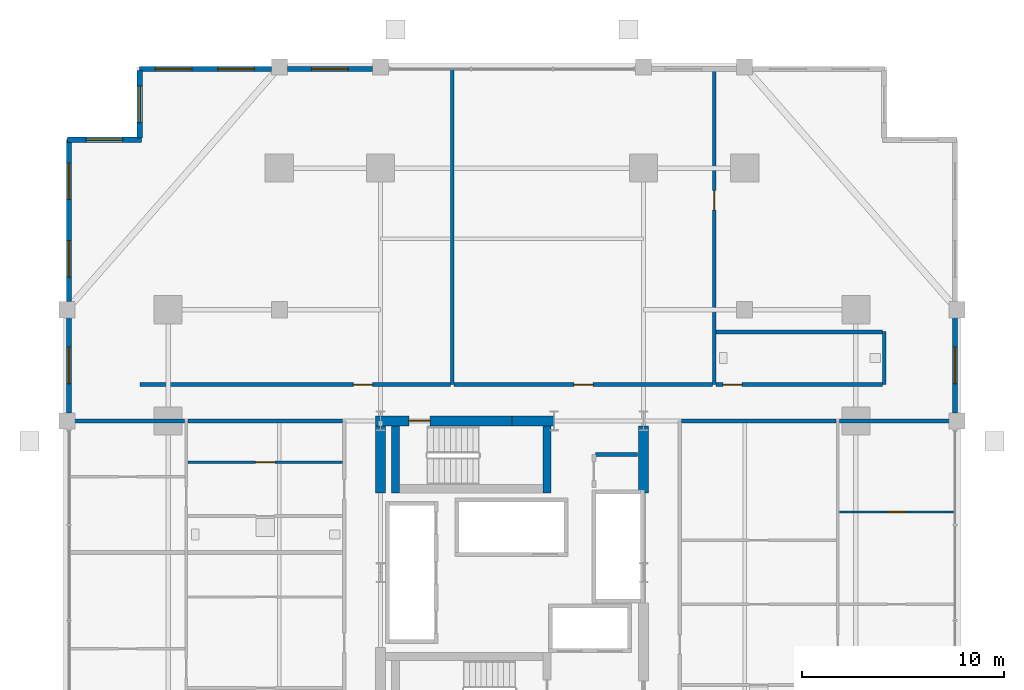
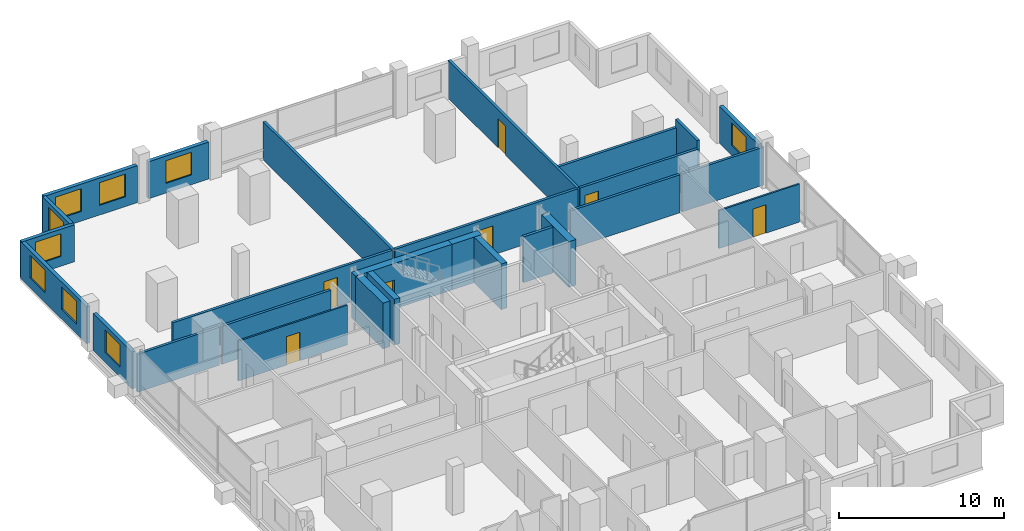
# One storey, part 20 of 23: 27 walls, 9 windows, 7 doors, 16 openings.
"""IFC4 building model written with IfcOpenShell, lengths in metres."""

from ifc_helpers import new_model, si_unit, direction, frame, frame_2d, origin, place, context, subcontext, project, spatial, rectangle, extrude, material, layer, layer_set, type_object, element, fill, save


model = new_model("IFC4")

# Units and contexts
model_context = context("Model", 3, precision=1e-05, world=origin(), true_north=direction((0.0, 1.0)))
body_context = subcontext(model_context, "Body", "Model", "MODEL_VIEW")
ifc_project = project(units=[si_unit("LENGTHUNIT", "METRE"), si_unit("AREAUNIT", "SQUARE_METRE"), si_unit("VOLUMEUNIT", "CUBIC_METRE"), si_unit("PLANEANGLEUNIT", "RADIAN"), si_unit("MASSUNIT", "GRAM", prefix="KILO")], contexts=[model_context])

# Site, building, storey
site_placement = place(None, origin())
site = spatial("IfcSite", under=ifc_project, at=site_placement, CompositionType="ELEMENT")
building_placement = place(site_placement, origin())
building = spatial("IfcBuilding", under=site, at=building_placement, Name="Barlavira Tower and Art Museum", CompositionType="ELEMENT")
storey_placement = place(building_placement, frame((0.0, 0.0, 54.0)))
storey = spatial("IfcBuildingStorey", under=building, at=storey_placement, Name="L12", CompositionType="ELEMENT", Elevation=54.0)

# Wall, opening, door
ifc_material_1 = material(Name="Gypsum acoustic stud partition", Category="gypsum")
ifc_layer_1 = layer(ifc_material_1, 0.1201171875, Name="Gypsum acoustic stud partition")
ifc_layer_set_1 = layer_set([ifc_layer_1], Name="Gypsum acoustic stud partition")
wall_type_1 = type_object("IfcWallType", Name="Apartment Internal Acoustic Partition 120", PredefinedType="PARTITIONING", material=ifc_layer_set_1)
wall_1_placement = place(storey_placement, frame((16.179931640625, 3.0, 0.0), z_axis=(0.0, 0.0, 1.0), x_axis=(1.0, 0.0, 0.0)))
wall_1 = element("IfcWall", 1, at=wall_1_placement, inside=storey, type_object=wall_type_1, Name="L12 Partition Wall 54", PredefinedType="PARTITIONING", context=body_context, shape_type="SweptSolid", body=[
    extrude(rectangle(XDim=5.64013671875, YDim=0.1201171875, at=frame_2d((2.820068359375, 0.0))), origin(), (0.0, 0.0, 1.0), 2.81591796875),
])
opening_1_placement = place(wall_1_placement, frame((2.3701171875, 0.0, 0.0)))
opening_1 = element("IfcOpeningElement", 2, at=opening_1_placement, cuts=wall_1, Name="Opening D-01", PredefinedType="OPENING", context=body_context, shape_type="SweptSolid", body=[
    extrude(rectangle(XDim=0.89990234375, YDim=2.10009765625, at=frame_2d((0.449951171875, 1.050048828125))), frame((0.0, 0.070068359375, 0.0), z_axis=(0.0, -1.0, 0.0), x_axis=(1.0, 0.0, 0.0)), (0.0, 0.0, 1.0), 0.14013671875),
])
ifc_material_2 = material(Name="Engineered coastal hardwood", Category="wood")
door_type_1 = type_object("IfcDoorType", Name="Internal Bedroom Timber Flush Door 900x2100", OperationType="NOTDEFINED", PredefinedType="DOOR", material=ifc_material_2)
door_1_placement = place(opening_1_placement, origin())
door_1 = element("IfcDoor", 3, at=door_1_placement, inside=storey, type_object=door_type_1, Name="Apartment E1 Bedroom 2 Door", OperationType="SINGLE_SWING_RIGHT", OverallHeight=2.10009765625, OverallWidth=0.89990234375, PredefinedType="DOOR", context=body_context, shape_type="SweptSolid", body=[
    extrude(rectangle(XDim=0.89990234375, YDim=2.10009765625, at=frame_2d((0.449951171875, 1.050048828125))), frame((0.0, 0.02490234375, 0.0), z_axis=(0.0, -1.0, 0.0), x_axis=(1.0, 0.0, 0.0)), (0.0, 0.0, 1.0), 0.050048828125),
])
fill(opening_1, door_1)

wall_2_placement = place(storey_placement, frame((-16.02001953125, 5.449951171875, 0.0), z_axis=(0.0, 0.0, 1.0), x_axis=(1.0, 0.0, 0.0)))
wall_2 = element("IfcWall", 4, at=wall_2_placement, inside=storey, type_object=wall_type_1, Name="L12 Partition Wall 56", PredefinedType="PARTITIONING", context=body_context, shape_type="SweptSolid", body=[
    extrude(rectangle(XDim=7.64013671875, YDim=0.1201171875, at=frame_2d((3.820068359375, 0.0))), origin(), (0.0, 0.0, 1.0), 2.947998046875),
])
opening_2_placement = place(wall_2_placement, frame((3.344970703125, 0.0, 0.0)))
opening_2 = element("IfcOpeningElement", 5, at=opening_2_placement, cuts=wall_2, Name="Opening D-02", PredefinedType="OPENING", context=body_context, shape_type="SweptSolid", body=[
    extrude(rectangle(XDim=0.949951171875, YDim=2.10009765625, at=frame_2d((0.47509765625, 1.050048828125))), frame((0.0, 0.070068359375, 0.0), z_axis=(0.0, -1.0, 0.0), x_axis=(1.0, 0.0, 0.0)), (0.0, 0.0, 1.0), 0.14013671875),
])
door_type_2 = type_object("IfcDoorType", Name="Living and Salon Glazed-Leaf Door 950x2100", OperationType="NOTDEFINED", PredefinedType="DOOR", material=ifc_material_2)
door_2_placement = place(opening_2_placement, origin())
door_2 = element("IfcDoor", 6, at=door_2_placement, inside=storey, type_object=door_type_2, Name="Apartment W2 Kitchen Door", OperationType="SINGLE_SWING_LEFT", OverallHeight=2.10009765625, OverallWidth=0.949951171875, PredefinedType="DOOR", context=body_context, shape_type="SweptSolid", body=[
    extrude(rectangle(XDim=0.949951171875, YDim=2.10009765625, at=frame_2d((0.47509765625, 1.050048828125))), frame((0.0, 0.02490234375, 0.0), z_axis=(0.0, -1.0, 0.0), x_axis=(1.0, 0.0, 0.0)), (0.0, 0.0, 1.0), 0.050048828125),
])
fill(opening_2, door_2)

ifc_material_3 = material(Name="Concrete C60", Category="concrete")
ifc_layer_2 = layer(ifc_material_3, 0.5, Name="Concrete C60")
ifc_layer_set_2 = layer_set([ifc_layer_2], Name="Concrete C60")
wall_type_2 = type_object("IfcWallType", Name="Core Structural Shear Wall 500 Concrete C60", PredefinedType="SHEAR", material=ifc_layer_set_2)
wall_3_placement = place(storey_placement, frame((-6.75, 7.5, 0.0), z_axis=(0.0, 0.0, 1.0), x_axis=(1.0, 0.0, 0.0)))
wall_3 = element("IfcWall", 7, at=wall_3_placement, inside=storey, type_object=wall_type_2, Name="L12 Core Shear Wall CS-NW", PredefinedType="SHEAR", context=body_context, shape_type="SweptSolid", body=[
    extrude(rectangle(XDim=6.75, YDim=0.5, at=frame_2d((3.375, 0.0))), origin(), (0.0, 0.0, 1.0), 3.3798828125),
])
opening_3_placement = place(wall_3_placement, frame((1.64990234375, 0.0, 0.0)))
opening_3 = element("IfcOpeningElement", 8, at=opening_3_placement, cuts=wall_3, Name="Opening FD-90", PredefinedType="OPENING", context=body_context, shape_type="SweptSolid", body=[
    extrude(rectangle(XDim=1.050048828125, YDim=2.14990234375, at=frame_2d((0.52490234375, 1.074951171875))), frame((0.0, 0.260009765625, 0.0), z_axis=(0.0, -1.0, 0.0), x_axis=(1.0, 0.0, 0.0)), (0.0, 0.0, 1.0), 0.52001953125),
])
ifc_material_4 = material(Name="Brushed stainless steel", Category="steel")
door_type_3 = type_object("IfcDoorType", Name="Stair and Refuge Fire Door 1050x2150 FD90S", OperationType="NOTDEFINED", PredefinedType="DOOR", material=ifc_material_4)
door_3_placement = place(opening_3_placement, origin())
door_3 = element("IfcDoor", 9, at=door_3_placement, inside=storey, type_object=door_type_3, Name="L12 Stair ST-T2 Fire Door", OperationType="SINGLE_SWING_LEFT", OverallHeight=2.14990234375, OverallWidth=1.050048828125, PredefinedType="DOOR", context=body_context, shape_type="SweptSolid", body=[
    extrude(rectangle(XDim=1.050048828125, YDim=2.14990234375, at=frame_2d((0.52490234375, 1.074951171875))), frame((0.0, 0.02490234375, 0.0), z_axis=(0.0, -1.0, 0.0), x_axis=(1.0, 0.0, 0.0)), (0.0, 0.0, 1.0), 0.050048828125),
])
fill(opening_3, door_3)

# Walls
wall_4_placement = place(storey_placement, frame((0.0, 7.5, 0.0), z_axis=(0.0, 0.0, 1.0), x_axis=(1.0, 0.0, 0.0)))
element("IfcWall", 10, at=wall_4_placement, inside=storey, type_object=wall_type_2, Name="L12 Core Shear Wall CS-EN", PredefinedType="SHEAR", context=body_context, shape_type="SweptSolid", body=[
    extrude(rectangle(XDim=2.080078125, YDim=0.5, at=frame_2d((1.0400390625, 0.0))), origin(), (0.0, 0.0, 1.0), 3.3798828125),
])
for number, where, z_axis, x_axis, name in (
    (11, (-6.5, 3.949951171875, 0.0), (0.0, 0.0, 1.0), (0.0, 1.0, 0.0), "L12 Core Shear Wall CS-W2"),
    (12, (6.5, 3.949951171875, 0.0), (0.0, 0.0, 1.0), (0.0, 1.0, 0.0), "L12 Core Shear Wall CS-E2"),
):
    element("IfcWall", number, at=place(storey_placement, frame(where, z_axis=z_axis, x_axis=x_axis)), inside=storey, type_object=wall_type_2, Name=name, PredefinedType="SHEAR", context=body_context, shape_type="SweptSolid", body=[
        extrude(rectangle(XDim=3.300048828125, YDim=0.5, at=frame_2d((1.64990234375, 0.0))), origin(), (0.0, 0.0, 1.0), 3.3798828125),
    ])
ifc_material_5 = material(Name="Autoclaved aerated concrete masonry", Category="masonry")
ifc_layer_3 = layer(ifc_material_5, 0.199951171875, Name="Autoclaved aerated concrete masonry")
ifc_layer_set_3 = layer_set([ifc_layer_3], Name="Autoclaved aerated concrete masonry")
wall_type_3 = type_object("IfcWallType", Name="Fire Compartment and Shaft Wall 200", PredefinedType="SOLIDWALL", material=ifc_layer_set_3)
wall_5_placement = place(storey_placement, frame((4.1298828125, 5.85009765625, 0.0), z_axis=(0.0, 0.0, 1.0), x_axis=(1.0, 0.0, 0.0)))
element("IfcWall", 13, at=wall_5_placement, inside=storey, type_object=wall_type_3, Name="L12 Partition Wall 57", PredefinedType="SOLIDWALL", context=body_context, shape_type="SweptSolid", body=[
    extrude(rectangle(XDim=2.070068359375, YDim=0.199951171875, at=frame_2d((1.03515625, 0.0))), origin(), (0.0, 0.0, 1.0), 3.3798828125),
])
ifc_layer_4 = layer(ifc_material_1, 0.179931640625, Name="Gypsum acoustic stud partition")
ifc_layer_set_4 = layer_set([ifc_layer_4], Name="Gypsum acoustic stud partition")
wall_type_4 = type_object("IfcWallType", Name="Inter-Tenancy Party Partition Wall 180", PredefinedType="PARTITIONING", material=ifc_layer_set_4)
wall_6_placement = place(storey_placement, frame((-2.949951171875, 9.300048828125, 0.0), z_axis=(0.0, 0.0, 1.0), x_axis=(0.0, 1.0, 0.0)))
element("IfcWall", 14, at=wall_6_placement, inside=storey, type_object=wall_type_4, Name="L12 Partition Wall 8", PredefinedType="PARTITIONING", context=body_context, shape_type="SweptSolid", body=[
    extrude(rectangle(XDim=15.599853515625, YDim=0.179931640625, at=frame_2d((7.7998046875, 0.0))), origin(), (0.0, 0.0, 1.0), 2.81591796875),
])

# Wall, opening, door
wall_7_placement = place(storey_placement, frame((10.0, 9.300048828125, 0.0), z_axis=(0.0, 0.0, 1.0), x_axis=(0.0, 1.0, 0.0)))
wall_7 = element("IfcWall", 15, at=wall_7_placement, inside=storey, type_object=wall_type_4, Name="L12 Partition Wall 15", PredefinedType="PARTITIONING", context=body_context, shape_type="SweptSolid", body=[
    extrude(rectangle(XDim=15.599853515625, YDim=0.179931640625, at=frame_2d((7.7998046875, 0.0))), origin(), (0.0, 0.0, 1.0), 2.81591796875),
])
opening_4_placement = place(wall_7_placement, frame((8.635009765625, 0.0, 0.0)))
opening_4 = element("IfcOpeningElement", 16, at=opening_4_placement, cuts=wall_7, Name="Opening FD-60", PredefinedType="OPENING", context=body_context, shape_type="SweptSolid", body=[
    extrude(rectangle(XDim=0.949951171875, YDim=2.14990234375, at=frame_2d((0.47509765625, 1.074951171875))), frame((0.0, 0.10009765625, 0.0), z_axis=(0.0, -1.0, 0.0), x_axis=(1.0, 0.0, 0.0)), (0.0, 0.0, 1.0), 0.199951171875),
])
door_type_4 = type_object("IfcDoorType", Name="Apartment Entrance and Riser Fire Door 950x2150 FD60S", OperationType="NOTDEFINED", PredefinedType="DOOR", material=ifc_material_4)
door_4_placement = place(opening_4_placement, origin())
door_4 = element("IfcDoor", 17, at=door_4_placement, inside=storey, type_object=door_type_4, Name="Thermal Relaxation Lounge Door", OperationType="SINGLE_SWING_LEFT", OverallHeight=2.14990234375, OverallWidth=0.949951171875, PredefinedType="DOOR", context=body_context, shape_type="SweptSolid", body=[
    extrude(rectangle(XDim=0.949951171875, YDim=2.14990234375, at=frame_2d((0.47509765625, 1.074951171875))), frame((0.0, 0.02490234375, 0.0), z_axis=(0.0, -1.0, 0.0), x_axis=(1.0, 0.0, 0.0)), (0.0, 0.0, 1.0), 0.050048828125),
])
fill(opening_4, door_4)

# Walls
wall_8_placement = place(storey_placement, frame((18.39990234375, 9.300048828125, 0.0), z_axis=(0.0, 0.0, 1.0), x_axis=(0.0, 1.0, 0.0)))
element("IfcWall", 18, at=wall_8_placement, inside=storey, type_object=wall_type_4, Name="L12 Partition Wall 20", PredefinedType="PARTITIONING", context=body_context, shape_type="SweptSolid", body=[
    extrude(rectangle(XDim=2.619873046875, YDim=0.179931640625, at=frame_2d((1.31005859375, 0.0))), origin(), (0.0, 0.0, 1.0), 3.3798828125),
])
wall_9_placement = place(storey_placement, frame((-21.89990234375, 7.5, 0.0), z_axis=(0.0, 0.0, 1.0), x_axis=(1.0, 0.0, 0.0)))
element("IfcWall", 19, at=wall_9_placement, inside=storey, type_object=wall_type_4, Name="L12 Partition Wall 58", PredefinedType="PARTITIONING", context=body_context, shape_type="SweptSolid", body=[
    extrude(rectangle(XDim=5.719970703125, YDim=0.179931640625, at=frame_2d((2.85986328125, 0.0))), origin(), (0.0, 0.0, 1.0), 2.81591796875),
])
for number, where, z_axis, x_axis, name in (
    (20, (-16.02001953125, 7.5, 0.0), (0.0, 0.0, 1.0), (1.0, 0.0, 0.0), "L12 Partition Wall 59"),
    (21, (8.3798828125, 7.5, 0.0), (0.0, 0.0, 1.0), (1.0, 0.0, 0.0), "L12 Partition Wall 60"),
):
    element("IfcWall", number, at=place(storey_placement, frame(where, z_axis=z_axis, x_axis=x_axis)), inside=storey, type_object=wall_type_4, Name=name, PredefinedType="PARTITIONING", context=body_context, shape_type="SweptSolid", body=[
        extrude(rectangle(XDim=7.64013671875, YDim=0.179931640625, at=frame_2d((3.820068359375, 0.0))), origin(), (0.0, 0.0, 1.0), 2.81591796875),
    ])
wall_10_placement = place(storey_placement, frame((16.179931640625, 7.5, 0.0), z_axis=(0.0, 0.0, 1.0), x_axis=(1.0, 0.0, 0.0)))
element("IfcWall", 22, at=wall_10_placement, inside=storey, type_object=wall_type_4, Name="L12 Partition Wall 61", PredefinedType="PARTITIONING", context=body_context, shape_type="SweptSolid", body=[
    extrude(rectangle(XDim=5.719970703125, YDim=0.179931640625, at=frame_2d((2.85986328125, 0.0))), origin(), (0.0, 0.0, 1.0), 2.81591796875),
])

# Wall, opening, door
wall_11_placement = place(storey_placement, frame((-18.39990234375, 9.300048828125, 0.0), z_axis=(0.0, 0.0, 1.0), x_axis=(1.0, 0.0, 0.0)))
wall_11 = element("IfcWall", 23, at=wall_11_placement, inside=storey, type_object=wall_type_4, Name="L12 Partition Wall 62", PredefinedType="PARTITIONING", context=body_context, shape_type="SweptSolid", body=[
    extrude(rectangle(XDim=15.369873046875, YDim=0.179931640625, at=frame_2d((7.68505859375, 0.0))), origin(), (0.0, 0.0, 1.0), 2.81591796875),
])
opening_5_placement = place(wall_11_placement, frame((10.554931640625, 0.0, 0.0)))
opening_5 = element("IfcOpeningElement", 24, at=opening_5_placement, cuts=wall_11, Name="Opening FD-60", PredefinedType="OPENING", context=body_context, shape_type="SweptSolid", body=[
    extrude(rectangle(XDim=0.949951171875, YDim=2.14990234375, at=frame_2d((0.47509765625, 1.074951171875))), frame((0.0, 0.10009765625, 0.0), z_axis=(0.0, -1.0, 0.0), x_axis=(1.0, 0.0, 0.0)), (0.0, 0.0, 1.0), 0.199951171875),
])
door_5_placement = place(opening_5_placement, origin())
door_5 = element("IfcDoor", 25, at=door_5_placement, inside=storey, type_object=door_type_4, Name="Resident Ocean-View Fitness Studio Door", OperationType="SINGLE_SWING_RIGHT", OverallHeight=2.14990234375, OverallWidth=0.949951171875, PredefinedType="DOOR", context=body_context, shape_type="SweptSolid", body=[
    extrude(rectangle(XDim=0.949951171875, YDim=2.14990234375, at=frame_2d((0.47509765625, 1.074951171875))), frame((0.0, 0.02490234375, 0.0), z_axis=(0.0, -1.0, 0.0), x_axis=(1.0, 0.0, 0.0)), (0.0, 0.0, 1.0), 0.050048828125),
])
fill(opening_5, door_5)

wall_12_placement = place(storey_placement, frame((-2.8701171875, 9.300048828125, 0.0), z_axis=(0.0, 0.0, 1.0), x_axis=(1.0, 0.0, 0.0)))
wall_12 = element("IfcWall", 26, at=wall_12_placement, inside=storey, type_object=wall_type_4, Name="L12 Partition Wall 63", PredefinedType="PARTITIONING", context=body_context, shape_type="SweptSolid", body=[
    extrude(rectangle(XDim=12.7900390625, YDim=0.179931640625, at=frame_2d((6.39501953125, 0.0))), origin(), (0.0, 0.0, 1.0), 2.81591796875),
])
opening_6_placement = place(wall_12_placement, frame((5.925048828125, 0.0, 0.0)))
opening_6 = element("IfcOpeningElement", 27, at=opening_6_placement, cuts=wall_12, Name="Opening FD-60", PredefinedType="OPENING", context=body_context, shape_type="SweptSolid", body=[
    extrude(rectangle(XDim=0.949951171875, YDim=2.14990234375, at=frame_2d((0.47509765625, 1.074951171875))), frame((0.0, 0.10009765625, 0.0), z_axis=(0.0, -1.0, 0.0), x_axis=(1.0, 0.0, 0.0)), (0.0, 0.0, 1.0), 0.199951171875),
])
door_6_placement = place(opening_6_placement, origin())
door_6 = element("IfcDoor", 28, at=door_6_placement, inside=storey, type_object=door_type_4, Name="Coastal Hydrotherapy and Yoga Lounge Door", OperationType="SINGLE_SWING_LEFT", OverallHeight=2.14990234375, OverallWidth=0.949951171875, PredefinedType="DOOR", context=body_context, shape_type="SweptSolid", body=[
    extrude(rectangle(XDim=0.949951171875, YDim=2.14990234375, at=frame_2d((0.47509765625, 1.074951171875))), frame((0.0, 0.02490234375, 0.0), z_axis=(0.0, -1.0, 0.0), x_axis=(1.0, 0.0, 0.0)), (0.0, 0.0, 1.0), 0.050048828125),
])
fill(opening_6, door_6)

wall_13_placement = place(storey_placement, frame((10.080078125, 9.300048828125, 0.0), z_axis=(0.0, 0.0, 1.0), x_axis=(1.0, 0.0, 0.0)))
wall_13 = element("IfcWall", 29, at=wall_13_placement, inside=storey, type_object=wall_type_4, Name="L12 Partition Wall 64", PredefinedType="PARTITIONING", context=body_context, shape_type="SweptSolid", body=[
    extrude(rectangle(XDim=8.239990234375, YDim=0.179931640625, at=frame_2d((4.1201171875, 0.0))), origin(), (0.0, 0.0, 1.0), 2.81591796875),
])
opening_7_placement = place(wall_13_placement, frame((0.344970703125, 0.0, 0.0)))
opening_7 = element("IfcOpeningElement", 30, at=opening_7_placement, cuts=wall_13, Name="Opening FD-60", PredefinedType="OPENING", context=body_context, shape_type="SweptSolid", body=[
    extrude(rectangle(XDim=0.949951171875, YDim=2.14990234375, at=frame_2d((0.47509765625, 1.074951171875))), frame((0.0, 0.10009765625, 0.0), z_axis=(0.0, -1.0, 0.0), x_axis=(1.0, 0.0, 0.0)), (0.0, 0.0, 1.0), 0.199951171875),
])
door_7_placement = place(opening_7_placement, origin())
door_7 = element("IfcDoor", 31, at=door_7_placement, inside=storey, type_object=door_type_4, Name="Wellness Changing and Accessible Shower WC Door", OperationType="SINGLE_SWING_RIGHT", OverallHeight=2.14990234375, OverallWidth=0.949951171875, PredefinedType="DOOR", context=body_context, shape_type="SweptSolid", body=[
    extrude(rectangle(XDim=0.949951171875, YDim=2.14990234375, at=frame_2d((0.47509765625, 1.074951171875))), frame((0.0, 0.02490234375, 0.0), z_axis=(0.0, -1.0, 0.0), x_axis=(1.0, 0.0, 0.0)), (0.0, 0.0, 1.0), 0.050048828125),
])
fill(opening_7, door_7)

# Wall
wall_14_placement = place(storey_placement, frame((10.080078125, 11.89990234375, 0.0), z_axis=(0.0, 0.0, 1.0), x_axis=(1.0, 0.0, 0.0)))
element("IfcWall", 32, at=wall_14_placement, inside=storey, type_object=wall_type_4, Name="L12 Partition Wall 65", PredefinedType="PARTITIONING", context=body_context, shape_type="SweptSolid", body=[
    extrude(rectangle(XDim=8.239990234375, YDim=0.179931640625, at=frame_2d((4.1201171875, 0.0))), origin(), (0.0, 0.0, 1.0), 2.81591796875),
])

# Wall, opening, window
ifc_material_6 = material(Name="Precast concrete C40", Category="concrete")
ifc_layer_5 = layer(ifc_material_6, 0.25, Name="Precast concrete C40")
ifc_layer_set_5 = layer_set([ifc_layer_5], Name="Precast concrete C40")
wall_type_5 = type_object("IfcWallType", Name="Notched Corner Spandrel Wall 250 Precast Concrete C40", PredefinedType="SOLIDWALL", material=ifc_layer_set_5)
wall_15_placement = place(storey_placement, frame((-6.89501953125, 24.89990234375, 0.0), z_axis=(0.0, 0.0, 1.0), x_axis=(-1.0, 0.0, 0.0)))
wall_15 = element("IfcWall", 33, at=wall_15_placement, inside=storey, type_object=wall_type_5, Name="L12 Coastal Facade Pier Wall CW1-L12-N-4", PredefinedType="SOLIDWALL", context=body_context, shape_type="SweptSolid", body=[
    extrude(rectangle(XDim=4.2099609375, YDim=0.25, at=frame_2d((2.10498046875, 0.0))), origin(), (0.0, 0.0, 1.0), 2.736083984375),
])
opening_8_placement = place(wall_15_placement, frame((1.205078125, 0.0, 0.719970703125)))
opening_8 = element("IfcOpeningElement", 34, at=opening_8_placement, cuts=wall_15, Name="Opening WN-01", PredefinedType="OPENING", context=body_context, shape_type="SweptSolid", body=[
    extrude(rectangle(XDim=1.800048828125, YDim=1.679931640625, at=frame_2d((0.89990234375, 0.83984375))), frame((0.0, 0.135009765625, 0.0), z_axis=(0.0, -1.0, 0.0), x_axis=(1.0, 0.0, 0.0)), (0.0, 0.0, 1.0), 0.27001953125),
])
ifc_material_7 = material(Name="Low-iron coastal laminated glass", Category="glass")
window_type = type_object("IfcWindowType", Name="Recessed Notch Corner Punch Window 1800x1680", PartitioningType="SINGLE_PANEL", PredefinedType="WINDOW", material=ifc_material_7)
window_1_placement = place(opening_8_placement, origin())
window_1 = element("IfcWindow", 35, at=window_1_placement, inside=storey, type_object=window_type, Name="L12 Punched Facade Window EWP-CW1-L12-N-4-1", OverallHeight=1.679931640625, OverallWidth=1.800048828125, PartitioningType="SINGLE_PANEL", PredefinedType="WINDOW", context=body_context, shape_type="SweptSolid", body=[
    extrude(rectangle(XDim=1.800048828125, YDim=1.679931640625, at=frame_2d((0.89990234375, 0.83984375))), frame((0.0, 0.030029296875, 0.0), z_axis=(0.0, -1.0, 0.0), x_axis=(1.0, 0.0, 0.0)), (0.0, 0.0, 1.0), 0.06005859375),
])
fill(opening_8, window_1)

# Wall, openings, windows
wall_16_placement = place(storey_placement, frame((-11.89501953125, 24.89990234375, 0.0), z_axis=(0.0, 0.0, 1.0), x_axis=(-1.0, 0.0, 0.0)))
wall_16 = element("IfcWall", 36, at=wall_16_placement, inside=storey, type_object=wall_type_5, Name="L12 Coastal Facade Pier Wall CW1-L12-N-5", PredefinedType="SOLIDWALL", context=body_context, shape_type="SweptSolid", body=[
    extrude(rectangle(XDim=6.530029296875, YDim=0.25, at=frame_2d((3.26513671875, 0.0))), origin(), (0.0, 0.0, 1.0), 2.736083984375),
])
opening_9_placement = place(wall_16_placement, frame((0.845947265625, 0.0, 0.719970703125)))
opening_9 = element("IfcOpeningElement", 37, at=opening_9_placement, cuts=wall_16, Name="Opening WN-01", PredefinedType="OPENING", context=body_context, shape_type="SweptSolid", body=[
    extrude(rectangle(XDim=1.800048828125, YDim=1.679931640625, at=frame_2d((0.89990234375, 0.83984375))), frame((0.0, 0.135009765625, 0.0), z_axis=(0.0, -1.0, 0.0), x_axis=(1.0, 0.0, 0.0)), (0.0, 0.0, 1.0), 0.27001953125),
])
opening_10_placement = place(wall_16_placement, frame((3.928955078125, 0.0, 0.719970703125)))
opening_10 = element("IfcOpeningElement", 38, at=opening_10_placement, cuts=wall_16, Name="Opening WN-01", PredefinedType="OPENING", context=body_context, shape_type="SweptSolid", body=[
    extrude(rectangle(XDim=1.800048828125, YDim=1.679931640625, at=frame_2d((0.89990234375, 0.83984375))), frame((0.0, 0.135009765625, 0.0), z_axis=(0.0, -1.0, 0.0), x_axis=(1.0, 0.0, 0.0)), (0.0, 0.0, 1.0), 0.27001953125),
])
window_2_placement = place(opening_9_placement, origin())
window_2 = element("IfcWindow", 39, at=window_2_placement, inside=storey, type_object=window_type, Name="L12 Punched Facade Window EWP-CW1-L12-N-5-1", OverallHeight=1.679931640625, OverallWidth=1.800048828125, PartitioningType="SINGLE_PANEL", PredefinedType="WINDOW", context=body_context, shape_type="SweptSolid", body=[
    extrude(rectangle(XDim=1.800048828125, YDim=1.679931640625, at=frame_2d((0.89990234375, 0.83984375))), frame((0.0, 0.030029296875, 0.0), z_axis=(0.0, -1.0, 0.0), x_axis=(1.0, 0.0, 0.0)), (0.0, 0.0, 1.0), 0.06005859375),
])
fill(opening_9, window_2)
window_3_placement = place(opening_10_placement, origin())
window_3 = element("IfcWindow", 40, at=window_3_placement, inside=storey, type_object=window_type, Name="L12 Punched Facade Window EWP-CW1-L12-N-5-2", OverallHeight=1.679931640625, OverallWidth=1.800048828125, PartitioningType="SINGLE_PANEL", PredefinedType="WINDOW", context=body_context, shape_type="SweptSolid", body=[
    extrude(rectangle(XDim=1.800048828125, YDim=1.679931640625, at=frame_2d((0.89990234375, 0.83984375))), frame((0.0, 0.030029296875, 0.0), z_axis=(0.0, -1.0, 0.0), x_axis=(1.0, 0.0, 0.0)), (0.0, 0.0, 1.0), 0.06005859375),
])
fill(opening_10, window_3)

wall_17_placement = place(storey_placement, frame((-21.89990234375, 21.425048828125, 0.0), z_axis=(0.0, 0.0, 1.0), x_axis=(0.0, -1.0, 0.0)))
wall_17 = element("IfcWall", 41, at=wall_17_placement, inside=storey, type_object=wall_type_5, Name="L12 Coastal Facade Pier Wall CW1-L12-W-1", PredefinedType="SOLIDWALL", context=body_context, shape_type="SweptSolid", body=[
    extrude(rectangle(XDim=8.030029296875, YDim=0.25, at=frame_2d((4.01513671875, 0.0))), origin(), (0.0, 0.0, 1.0), 2.736083984375),
])
opening_11_placement = place(wall_17_placement, frame((1.176025390625, 0.0, 0.719970703125)))
opening_11 = element("IfcOpeningElement", 42, at=opening_11_placement, cuts=wall_17, Name="Opening WN-01", PredefinedType="OPENING", context=body_context, shape_type="SweptSolid", body=[
    extrude(rectangle(XDim=1.800048828125, YDim=1.679931640625, at=frame_2d((0.89990234375, 0.83984375))), frame((0.0, 0.135009765625, 0.0), z_axis=(0.0, -1.0, 0.0), x_axis=(1.0, 0.0, 0.0)), (0.0, 0.0, 1.0), 0.27001953125),
])
opening_12_placement = place(wall_17_placement, frame((5.009033203125, 0.0, 0.719970703125)))
opening_12 = element("IfcOpeningElement", 43, at=opening_12_placement, cuts=wall_17, Name="Opening WN-01", PredefinedType="OPENING", context=body_context, shape_type="SweptSolid", body=[
    extrude(rectangle(XDim=1.800048828125, YDim=1.679931640625, at=frame_2d((0.89990234375, 0.83984375))), frame((0.0, 0.135009765625, 0.0), z_axis=(0.0, -1.0, 0.0), x_axis=(1.0, 0.0, 0.0)), (0.0, 0.0, 1.0), 0.27001953125),
])
window_4_placement = place(opening_11_placement, origin())
window_4 = element("IfcWindow", 44, at=window_4_placement, inside=storey, type_object=window_type, Name="L12 Punched Facade Window EWP-CW1-L12-W-1-1", OverallHeight=1.679931640625, OverallWidth=1.800048828125, PartitioningType="SINGLE_PANEL", PredefinedType="WINDOW", context=body_context, shape_type="SweptSolid", body=[
    extrude(rectangle(XDim=1.800048828125, YDim=1.679931640625, at=frame_2d((0.89990234375, 0.83984375))), frame((0.0, 0.030029296875, 0.0), z_axis=(0.0, -1.0, 0.0), x_axis=(1.0, 0.0, 0.0)), (0.0, 0.0, 1.0), 0.06005859375),
])
fill(opening_11, window_4)
window_5_placement = place(opening_12_placement, origin())
window_5 = element("IfcWindow", 45, at=window_5_placement, inside=storey, type_object=window_type, Name="L12 Punched Facade Window EWP-CW1-L12-W-1-2", OverallHeight=1.679931640625, OverallWidth=1.800048828125, PartitioningType="SINGLE_PANEL", PredefinedType="WINDOW", context=body_context, shape_type="SweptSolid", body=[
    extrude(rectangle(XDim=1.800048828125, YDim=1.679931640625, at=frame_2d((0.89990234375, 0.83984375))), frame((0.0, 0.030029296875, 0.0), z_axis=(0.0, -1.0, 0.0), x_axis=(1.0, 0.0, 0.0)), (0.0, 0.0, 1.0), 0.06005859375),
])
fill(opening_12, window_5)

# Wall, opening, window
wall_18_placement = place(storey_placement, frame((-21.89990234375, 12.60498046875, 0.0), z_axis=(0.0, 0.0, 1.0), x_axis=(0.0, -1.0, 0.0)))
wall_18 = element("IfcWall", 46, at=wall_18_placement, inside=storey, type_object=wall_type_5, Name="L12 Coastal Facade Pier Wall CW1-L12-W-2", PredefinedType="SOLIDWALL", context=body_context, shape_type="SweptSolid", body=[
    extrude(rectangle(XDim=4.7099609375, YDim=0.25, at=frame_2d((2.35498046875, 0.0))), origin(), (0.0, 0.0, 1.0), 2.736083984375),
])
opening_13_placement = place(wall_18_placement, frame((1.455078125, 0.0, 0.719970703125)))
opening_13 = element("IfcOpeningElement", 47, at=opening_13_placement, cuts=wall_18, Name="Opening WN-01", PredefinedType="OPENING", context=body_context, shape_type="SweptSolid", body=[
    extrude(rectangle(XDim=1.800048828125, YDim=1.679931640625, at=frame_2d((0.89990234375, 0.83984375))), frame((0.0, 0.135009765625, 0.0), z_axis=(0.0, -1.0, 0.0), x_axis=(1.0, 0.0, 0.0)), (0.0, 0.0, 1.0), 0.27001953125),
])
window_6_placement = place(opening_13_placement, origin())
window_6 = element("IfcWindow", 48, at=window_6_placement, inside=storey, type_object=window_type, Name="L12 Punched Facade Window EWP-CW1-L12-W-2-1", OverallHeight=1.679931640625, OverallWidth=1.800048828125, PartitioningType="SINGLE_PANEL", PredefinedType="WINDOW", context=body_context, shape_type="SweptSolid", body=[
    extrude(rectangle(XDim=1.800048828125, YDim=1.679931640625, at=frame_2d((0.89990234375, 0.83984375))), frame((0.0, 0.030029296875, 0.0), z_axis=(0.0, -1.0, 0.0), x_axis=(1.0, 0.0, 0.0)), (0.0, 0.0, 1.0), 0.06005859375),
])
fill(opening_13, window_6)

wall_19_placement = place(storey_placement, frame((21.89990234375, 7.89501953125, 0.0), z_axis=(0.0, 0.0, 1.0), x_axis=(0.0, 1.0, 0.0)))
wall_19 = element("IfcWall", 49, at=wall_19_placement, inside=storey, type_object=wall_type_5, Name="L12 Coastal Facade Pier Wall CW1-L12-E-4", PredefinedType="SOLIDWALL", context=body_context, shape_type="SweptSolid", body=[
    extrude(rectangle(XDim=4.7099609375, YDim=0.25, at=frame_2d((2.35498046875, 0.0))), origin(), (0.0, 0.0, 1.0), 2.736083984375),
])
opening_14_placement = place(wall_19_placement, frame((1.455078125, 0.0, 0.719970703125)))
opening_14 = element("IfcOpeningElement", 50, at=opening_14_placement, cuts=wall_19, Name="Opening WN-01", PredefinedType="OPENING", context=body_context, shape_type="SweptSolid", body=[
    extrude(rectangle(XDim=1.800048828125, YDim=1.679931640625, at=frame_2d((0.89990234375, 0.83984375))), frame((0.0, 0.135009765625, 0.0), z_axis=(0.0, -1.0, 0.0), x_axis=(1.0, 0.0, 0.0)), (0.0, 0.0, 1.0), 0.27001953125),
])
window_7_placement = place(opening_14_placement, origin())
window_7 = element("IfcWindow", 51, at=window_7_placement, inside=storey, type_object=window_type, Name="L12 Punched Facade Window EWP-CW1-L12-E-4-1", OverallHeight=1.679931640625, OverallWidth=1.800048828125, PartitioningType="SINGLE_PANEL", PredefinedType="WINDOW", context=body_context, shape_type="SweptSolid", body=[
    extrude(rectangle(XDim=1.800048828125, YDim=1.679931640625, at=frame_2d((0.89990234375, 0.83984375))), frame((0.0, 0.030029296875, 0.0), z_axis=(0.0, -1.0, 0.0), x_axis=(1.0, 0.0, 0.0)), (0.0, 0.0, 1.0), 0.06005859375),
])
fill(opening_14, window_7)

wall_20_placement = place(storey_placement, frame((-18.39990234375, 24.820068359375, 0.0), z_axis=(0.0, 0.0, 1.0), x_axis=(0.0, -1.0, 0.0)))
wall_20 = element("IfcWall", 52, at=wall_20_placement, inside=storey, type_object=wall_type_5, Name="L12 Notch Corner Wall NW1", PredefinedType="SOLIDWALL", context=body_context, shape_type="SweptSolid", body=[
    extrude(rectangle(XDim=3.340087890625, YDim=0.25, at=frame_2d((1.669921875, 0.0))), origin(), (0.0, 0.0, 1.0), 2.736083984375),
])
opening_15_placement = place(wall_20_placement, frame((0.77001953125, 0.0, 0.719970703125)))
opening_15 = element("IfcOpeningElement", 53, at=opening_15_placement, cuts=wall_20, Name="Opening WN-01", PredefinedType="OPENING", context=body_context, shape_type="SweptSolid", body=[
    extrude(rectangle(XDim=1.800048828125, YDim=1.679931640625, at=frame_2d((0.89990234375, 0.83984375))), frame((0.0, 0.135009765625, 0.0), z_axis=(0.0, -1.0, 0.0), x_axis=(1.0, 0.0, 0.0)), (0.0, 0.0, 1.0), 0.27001953125),
])
window_8_placement = place(opening_15_placement, origin())
window_8 = element("IfcWindow", 54, at=window_8_placement, inside=storey, type_object=window_type, Name="L12 Punched Facade Window EW-NTC-L12-NW1-1", OverallHeight=1.679931640625, OverallWidth=1.800048828125, PartitioningType="SINGLE_PANEL", PredefinedType="WINDOW", context=body_context, shape_type="SweptSolid", body=[
    extrude(rectangle(XDim=1.800048828125, YDim=1.679931640625, at=frame_2d((0.89990234375, 0.83984375))), frame((0.0, 0.030029296875, 0.0), z_axis=(0.0, -1.0, 0.0), x_axis=(1.0, 0.0, 0.0)), (0.0, 0.0, 1.0), 0.06005859375),
])
fill(opening_15, window_8)

wall_21_placement = place(storey_placement, frame((-18.320068359375, 21.39990234375, 0.0), z_axis=(0.0, 0.0, 1.0), x_axis=(-1.0, 0.0, 0.0)))
wall_21 = element("IfcWall", 55, at=wall_21_placement, inside=storey, type_object=wall_type_5, Name="L12 Notch Corner Wall NW2", PredefinedType="SOLIDWALL", context=body_context, shape_type="SweptSolid", body=[
    extrude(rectangle(XDim=3.659912109375, YDim=0.25, at=frame_2d((1.830078125, 0.0))), origin(), (0.0, 0.0, 1.0), 2.736083984375),
])
opening_16_placement = place(wall_21_placement, frame((0.929931640625, 0.0, 0.719970703125)))
opening_16 = element("IfcOpeningElement", 56, at=opening_16_placement, cuts=wall_21, Name="Opening WN-01", PredefinedType="OPENING", context=body_context, shape_type="SweptSolid", body=[
    extrude(rectangle(XDim=1.800048828125, YDim=1.679931640625, at=frame_2d((0.89990234375, 0.83984375))), frame((0.0, 0.135009765625, 0.0), z_axis=(0.0, -1.0, 0.0), x_axis=(1.0, 0.0, 0.0)), (0.0, 0.0, 1.0), 0.27001953125),
])
window_9_placement = place(opening_16_placement, origin())
window_9 = element("IfcWindow", 57, at=window_9_placement, inside=storey, type_object=window_type, Name="L12 Punched Facade Window EW-NTC-L12-NW2-1", OverallHeight=1.679931640625, OverallWidth=1.800048828125, PartitioningType="SINGLE_PANEL", PredefinedType="WINDOW", context=body_context, shape_type="SweptSolid", body=[
    extrude(rectangle(XDim=1.800048828125, YDim=1.679931640625, at=frame_2d((0.89990234375, 0.83984375))), frame((0.0, 0.030029296875, 0.0), z_axis=(0.0, -1.0, 0.0), x_axis=(1.0, 0.0, 0.0)), (0.0, 0.0, 1.0), 0.06005859375),
])
fill(opening_16, window_9)

# Walls
ifc_material_8 = material(Name="Concrete C55", Category="concrete")
ifc_layer_6 = layer(ifc_material_8, 0.39990234375, Name="Concrete C55")
ifc_layer_set_6 = layer_set([ifc_layer_6], Name="Concrete C55")
wall_type_6 = type_object("IfcWallType", Name="Upper Core Shear Wall 400 Concrete C55", PredefinedType="SHEAR", material=ifc_layer_set_6)
for number, where, z_axis, x_axis, name in (
    (58, (1.72998046875, 3.949951171875, 0.0), (0.0, 0.0, 1.0), (0.0, 1.0, 0.0), "L12 ST-T2 East Half-Landing Wall"),
    (59, (-5.75, 3.949951171875, 0.0), (0.0, 0.0, 1.0), (0.0, 1.0, 0.0), "L12 ST-T2 West Shaft Wall"),
):
    element("IfcWall", number, at=place(storey_placement, frame(where, z_axis=z_axis, x_axis=x_axis)), inside=storey, type_object=wall_type_6, Name=name, PredefinedType="SHEAR", context=body_context, shape_type="SweptSolid", body=[
        extrude(rectangle(XDim=3.300048828125, YDim=0.39990234375, at=frame_2d((1.64990234375, 0.0))), origin(), (0.0, 0.0, 1.0), 3.3798828125),
    ])

save(model, "model.ifc")
